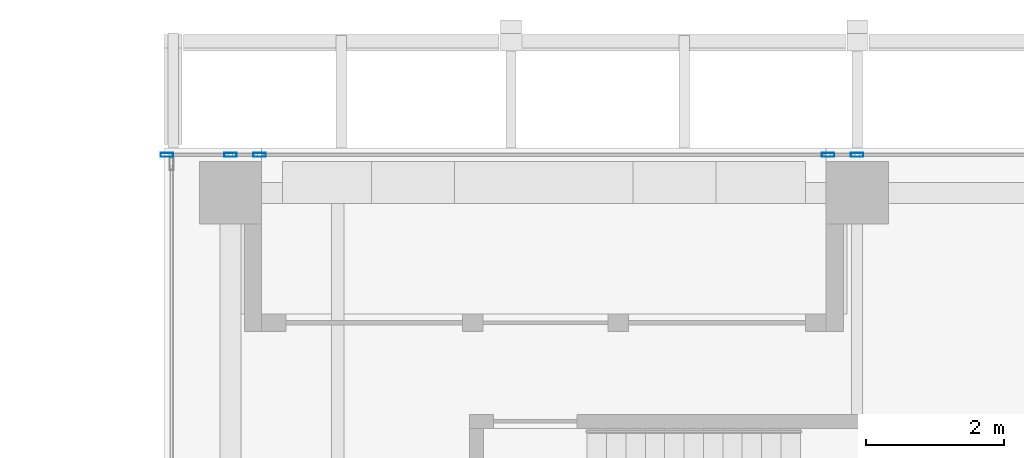
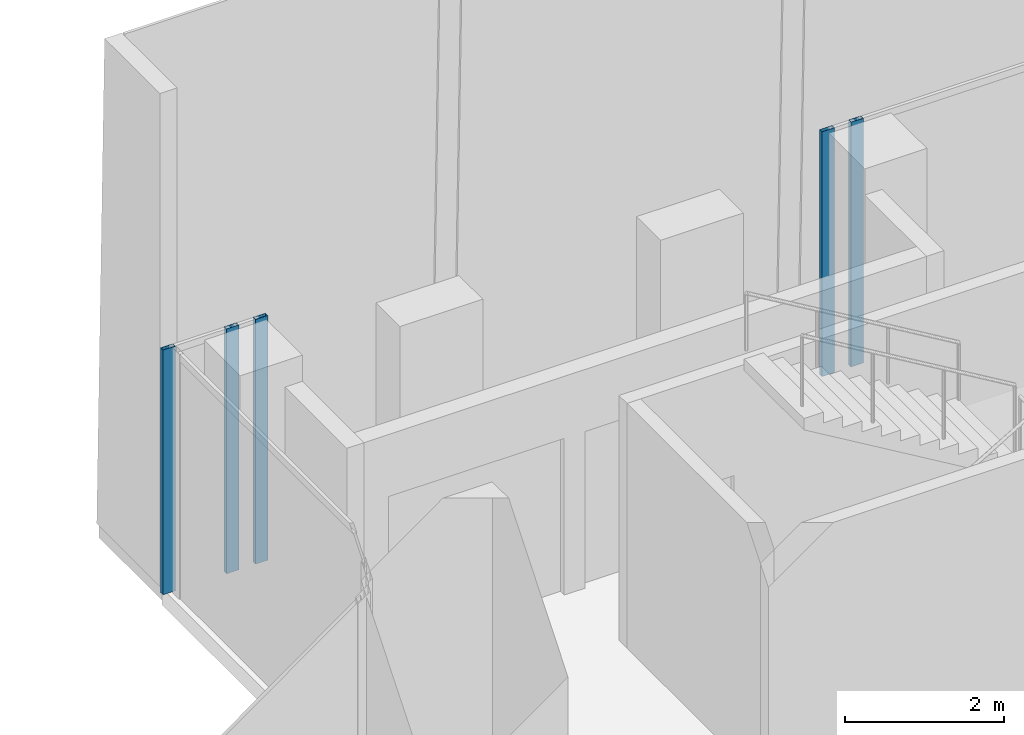
# One storey, part 16 of 35: 5 members, 2 elements without a shape of their own.
"""IFC4 building model written with IfcOpenShell, lengths in metres."""

from ifc_helpers import new_model, si_unit, direction, frame, origin, origin_2d, place, context, subcontext, project, spatial, hollow_rectangle, extrude, source, transform, mapped, material, material_profile, profile_set, type_object, element, aggregate, save


model = new_model("IFC4")

# Units and contexts
model_context = context("Model", 3, precision=1e-05, world=origin(), true_north=direction((0.0, 1.0)))
body_context = subcontext(model_context, "Body", "Model", "MODEL_VIEW")
ifc_project = project(units=[si_unit("LENGTHUNIT", "METRE"), si_unit("AREAUNIT", "SQUARE_METRE"), si_unit("VOLUMEUNIT", "CUBIC_METRE"), si_unit("PLANEANGLEUNIT", "RADIAN"), si_unit("MASSUNIT", "GRAM", prefix="KILO")], contexts=[model_context])

# Site, building, storey
site_placement = place(None, origin())
site = spatial("IfcSite", under=ifc_project, at=site_placement, CompositionType="ELEMENT")
building_placement = place(site_placement, origin())
building = spatial("IfcBuilding", under=site, at=building_placement, Name="Khomas Fold Tower", CompositionType="ELEMENT")
storey_placement = place(building_placement, frame((0.0, 0.0, 258.199951171875)))
storey = spatial("IfcBuildingStorey", under=building, at=storey_placement, Name="L58", CompositionType="ELEMENT", Elevation=258.199951171875)

# Curtain wall, members
ifc_material_1 = material(Name="Aluminium framed double glazing", Category="aluminium")
curtain_wall_type = type_object("IfcCurtainWallType", Name="SK-Unitised clear-glass wall, office floors CW2", PredefinedType="NOTDEFINED", material=ifc_material_1)
curtain_wall_1_placement = place(storey_placement, origin())
curtain_wall_1 = element("IfcCurtainWall", 1, at=curtain_wall_1_placement, inside=storey, type_object=curtain_wall_type, Name="CW2 run L58 06-0", PredefinedType="NOTDEFINED")
ifc_material_2 = material(Name="Aluminium", Category="aluminium")
ifc_material_profile = material_profile(ifc_material_2, hollow_rectangle(XDim=0.06005859375, YDim=0.179931640625, WallThickness=0.00390625, at=origin_2d()), Name="SK-Unitised clear-glass wall, office floors mullion CW2-M")
ifc_profile_set = profile_set([ifc_material_profile], Name="Aluminium")
member_type = type_object("IfcMemberType", Name="SK-Unitised clear-glass wall, office floors mullion CW2-M", PredefinedType="MULLION", material=ifc_profile_set)
shared_shape = source(origin(), body_context, "Body", "SweptSolid", [
    extrude(hollow_rectangle(XDim=0.06005859375, YDim=0.179931640625, WallThickness=0.00390625, at=origin_2d()), origin(), (0.0, 0.0, 1.0), 3.75),
])
member_1_placement = place(storey_placement, frame((19.5, 49.39990234375, 0.0), z_axis=(0.0, 0.0, 1.0), x_axis=(0.0, -1.0, 0.0)))
member_1 = element("IfcMember", 2, at=member_1_placement, type_object=member_type, Name="CW2 mullion 5", PredefinedType="MULLION", context=body_context, shape_type="MappedRepresentation", body=[
    mapped(shared_shape, transform((0.0, 0.0, 0.0))),
])
member_2_placement = place(storey_placement, frame((19.080078125, 49.39990234375, 0.0), z_axis=(0.0, 0.0, 1.0), x_axis=(0.0, -1.0, 0.0)))
member_2 = element("IfcMember", 3, at=member_2_placement, type_object=member_type, Name="CW2 mullion 6", PredefinedType="MULLION", context=body_context, shape_type="MappedRepresentation", body=[
    mapped(shared_shape, transform((0.0, 0.0, 0.0))),
])
aggregate(curtain_wall_1, [member_1, member_2])

curtain_wall_2_placement = place(storey_placement, origin())
curtain_wall_2 = element("IfcCurtainWall", 4, at=curtain_wall_2_placement, inside=storey, type_object=curtain_wall_type, Name="CW2 run L58 06-1", PredefinedType="NOTDEFINED")
member_3_placement = place(storey_placement, frame((10.8701171875, 49.39990234375, 0.0), z_axis=(0.0, 0.0, 1.0), x_axis=(0.0, -1.0, 0.0)))
member_3 = element("IfcMember", 5, at=member_3_placement, type_object=member_type, Name="CW2 mullion 1", PredefinedType="MULLION", context=body_context, shape_type="MappedRepresentation", body=[
    mapped(shared_shape, transform((0.0, 0.0, 0.0))),
])
member_4_placement = place(storey_placement, frame((10.449951171875, 49.39990234375, 0.0), z_axis=(0.0, 0.0, 1.0), x_axis=(0.0, -1.0, 0.0)))
member_4 = element("IfcMember", 6, at=member_4_placement, type_object=member_type, Name="CW2 mullion 2", PredefinedType="MULLION", context=body_context, shape_type="MappedRepresentation", body=[
    mapped(shared_shape, transform((0.0, 0.0, 0.0))),
])
member_5_placement = place(storey_placement, frame((9.530029296875, 49.39990234375, 0.0), z_axis=(0.0, 0.0, 1.0), x_axis=(0.0, -1.0, 0.0)))
member_5 = element("IfcMember", 7, at=member_5_placement, type_object=member_type, Name="CW2 mullion 3", PredefinedType="MULLION", context=body_context, shape_type="MappedRepresentation", body=[
    mapped(shared_shape, transform((0.0, 0.0, 0.0))),
])
aggregate(curtain_wall_2, [member_3, member_4, member_5])

save(model, "model.ifc")
